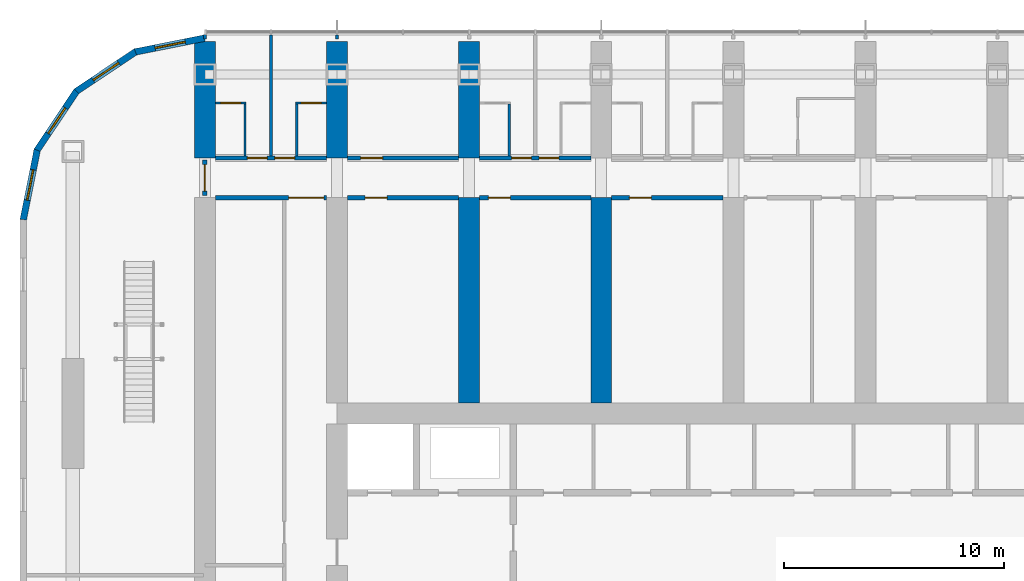
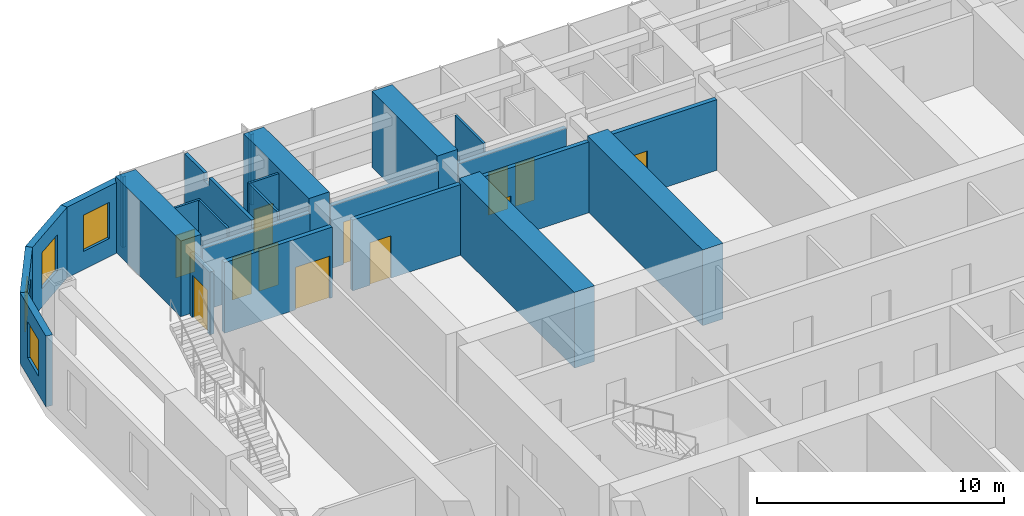
# One storey, part 15 of 25: 25 walls, 12 doors, 4 windows, 16 openings.
"""IFC4 building model written with IfcOpenShell, lengths in metres."""

from ifc_helpers import new_model, si_unit, direction, frame, frame_2d, origin, place, context, subcontext, project, spatial, polyline, rectangle, outline, extrude, material, layer, layer_set, type_object, element, fill, save


model = new_model("IFC4")

# Units and contexts
model_context = context("Model", 3, precision=1e-05, world=origin(), true_north=direction((0.0, 1.0)))
body_context = subcontext(model_context, "Body", "Model", "MODEL_VIEW")
ifc_project = project(units=[si_unit("LENGTHUNIT", "METRE"), si_unit("AREAUNIT", "SQUARE_METRE"), si_unit("VOLUMEUNIT", "CUBIC_METRE"), si_unit("PLANEANGLEUNIT", "RADIAN"), si_unit("MASSUNIT", "GRAM", prefix="KILO")], contexts=[model_context])

# Site, building, storey
site_placement = place(None, origin())
site = spatial("IfcSite", under=ifc_project, at=site_placement, CompositionType="ELEMENT")
building_placement = place(site_placement, origin())
building = spatial("IfcBuilding", under=site, at=building_placement, Name="Orbita Commons", CompositionType="ELEMENT")
storey_placement = place(building_placement, frame((0.0, 0.0, 84.39990234375)))
storey = spatial("IfcBuildingStorey", under=building, at=storey_placement, Name="L20", CompositionType="ELEMENT", Elevation=84.39990234375)

# Wall, openings, doors
ifc_material_1 = material(Name="Concrete blockwork", Category="masonry")
ifc_layer_1 = layer(ifc_material_1, 0.199951171875)
ifc_layer_set_1 = layer_set([ifc_layer_1], Name="Concrete blockwork")
wall_type_1 = type_object("IfcWallType", Name="Corridor wall 200 blockwork", PredefinedType="SOLIDWALL", material=ifc_layer_set_1)
wall_1_placement = place(storey_placement, frame((12.47509765625, 49.800048828125, 0.0), z_axis=(0.0, 0.0, 1.0), x_axis=(1.0, 0.0, 0.0)))
wall_1 = element("IfcWall", 1, at=wall_1_placement, inside=storey, type_object=wall_type_1, Name="Corridor wall 200 blockwork L20", PredefinedType="SOLIDWALL", context=body_context, shape_type="SweptSolid", body=[
    extrude(outline(polyline([(0.0, 0.0), (5.0498046875, 0.0), (5.050048828125, 3.10009765625), (0.0, 3.10009765625), (0.0, 0.0)])), frame((0.0, 0.10009765625, 0.0), z_axis=(0.0, -1.0, 0.0), x_axis=(1.0, 0.0, 0.0)), (0.0, 0.0, 1.0), 0.199951171875),
])
opening_1_placement = place(wall_1_placement, frame((1.449951171875, 0.0, 0.0)))
opening_1 = element("IfcOpeningElement", 2, at=opening_1_placement, cuts=wall_1, Name="Opening D11", PredefinedType="OPENING", context=body_context, shape_type="SweptSolid", body=[
    extrude(rectangle(XDim=0.89990234375, YDim=2.10009765625, at=frame_2d((0.449951171875, 1.050048828125))), frame((0.0, 0.10986328125, 0.0), z_axis=(0.0, -1.0, 0.0), x_axis=(1.0, 0.0, 0.0)), (0.0, 0.0, 1.0), 0.219970703125),
])
opening_2_placement = place(wall_1_placement, frame((2.699951171875, 0.0, 0.0)))
opening_2 = element("IfcOpeningElement", 3, at=opening_2_placement, cuts=wall_1, Name="Opening D11", PredefinedType="OPENING", context=body_context, shape_type="SweptSolid", body=[
    extrude(rectangle(XDim=0.89990234375, YDim=2.10009765625, at=frame_2d((0.449951171875, 1.050048828125))), frame((0.0, 0.10986328125, 0.0), z_axis=(0.0, -1.0, 0.0), x_axis=(1.0, 0.0, 0.0)), (0.0, 0.0, 1.0), 0.219970703125),
])
ifc_material_2 = material(Name="Steel-faced fire door leaf", Category="steel")
door_type_1 = type_object("IfcDoorType", Name="Corridor door 20 min 900x2100", OperationType="SINGLE_SWING_LEFT", PredefinedType="DOOR", material=ifc_material_2)
door_1_placement = place(opening_1_placement, origin())
door_1 = element("IfcDoor", 4, at=door_1_placement, inside=storey, type_object=door_type_1, Name="Cluster bedroom L20-N00 door", OperationType="SINGLE_SWING_LEFT", OverallHeight=2.10009765625, OverallWidth=0.89990234375, PredefinedType="DOOR", context=body_context, shape_type="SweptSolid", body=[
    extrude(rectangle(XDim=0.89990234375, YDim=2.10009765625, at=frame_2d((0.449951171875, 1.050048828125))), frame((0.0, 0.02490234375, 0.0), z_axis=(0.0, -1.0, 0.0), x_axis=(1.0, 0.0, 0.0)), (0.0, 0.0, 1.0), 0.050048828125),
])
fill(opening_1, door_1)
door_2_placement = place(opening_2_placement, origin())
door_2 = element("IfcDoor", 5, at=door_2_placement, inside=storey, type_object=door_type_1, Name="Cluster bedroom L20-N01 door", OperationType="SINGLE_SWING_LEFT", OverallHeight=2.10009765625, OverallWidth=0.89990234375, PredefinedType="DOOR", context=body_context, shape_type="SweptSolid", body=[
    extrude(rectangle(XDim=0.89990234375, YDim=2.10009765625, at=frame_2d((0.449951171875, 1.050048828125))), frame((0.0, 0.02490234375, 0.0), z_axis=(0.0, -1.0, 0.0), x_axis=(1.0, 0.0, 0.0)), (0.0, 0.0, 1.0), 0.050048828125),
])
fill(opening_2, door_2)

# Wall, opening, door
wall_2_placement = place(storey_placement, frame((18.47509765625, 49.800048828125, 0.0), z_axis=(0.0, 0.0, 1.0), x_axis=(1.0, 0.0, 0.0)))
wall_2 = element("IfcWall", 6, at=wall_2_placement, inside=storey, type_object=wall_type_1, Name="Corridor wall 200 blockwork L20", PredefinedType="SOLIDWALL", context=body_context, shape_type="SweptSolid", body=[
    extrude(outline(polyline([(0.0, 0.0), (5.0498046875, 0.0), (5.050048828125, 3.10009765625), (0.0, 3.10009765625), (0.0, 0.0)])), frame((0.0, 0.10009765625, 0.0), z_axis=(0.0, -1.0, 0.0), x_axis=(1.0, 0.0, 0.0)), (0.0, 0.0, 1.0), 0.199951171875),
])
opening_3_placement = place(wall_2_placement, frame((0.60009765625, 0.0, 0.0)))
opening_3 = element("IfcOpeningElement", 7, at=opening_3_placement, cuts=wall_2, Name="Opening D06", PredefinedType="OPENING", context=body_context, shape_type="SweptSolid", body=[
    extrude(rectangle(XDim=1.0, YDim=2.10009765625, at=frame_2d((0.5, 1.050048828125))), frame((0.0, 0.10986328125, 0.0), z_axis=(0.0, -1.0, 0.0), x_axis=(1.0, 0.0, 0.0)), (0.0, 0.0, 1.0), 0.219970703125),
])
ifc_material_3 = material(Name="Steel-faced fire door leaf", Category="steel")
door_type_2 = type_object("IfcDoorType", Name="Corridor door 20 min 1000x2100", OperationType="SINGLE_SWING_LEFT", PredefinedType="DOOR", material=ifc_material_3)
door_3_placement = place(opening_3_placement, origin())
door_3 = element("IfcDoor", 8, at=door_3_placement, inside=storey, type_object=door_type_2, Name="Sea-view lounge L20-N02 door", OperationType="SINGLE_SWING_LEFT", OverallHeight=2.10009765625, OverallWidth=1.0, PredefinedType="DOOR", context=body_context, shape_type="SweptSolid", body=[
    extrude(rectangle(XDim=1.0, YDim=2.10009765625, at=frame_2d((0.5, 1.050048828125))), frame((0.0, 0.02490234375, 0.0), z_axis=(0.0, -1.0, 0.0), x_axis=(1.0, 0.0, 0.0)), (0.0, 0.0, 1.0), 0.050048828125),
])
fill(opening_3, door_3)

# Wall, openings, doors
wall_3_placement = place(storey_placement, frame((24.47509765625, 49.800048828125, 0.0), z_axis=(0.0, 0.0, 1.0), x_axis=(1.0, 0.0, 0.0)))
wall_3 = element("IfcWall", 9, at=wall_3_placement, inside=storey, type_object=wall_type_1, Name="Corridor wall 200 blockwork L20", PredefinedType="SOLIDWALL", context=body_context, shape_type="SweptSolid", body=[
    extrude(outline(polyline([(0.0, 0.0), (5.0498046875, 0.0), (5.050048828125, 3.10009765625), (0.0, 3.10009765625), (0.0, 0.0)])), frame((0.0, 0.10009765625, 0.0), z_axis=(0.0, -1.0, 0.0), x_axis=(1.0, 0.0, 0.0)), (0.0, 0.0, 1.0), 0.199951171875),
])
opening_4_placement = place(wall_3_placement, frame((1.449951171875, 0.0, 0.0)))
opening_4 = element("IfcOpeningElement", 10, at=opening_4_placement, cuts=wall_3, Name="Opening D11", PredefinedType="OPENING", context=body_context, shape_type="SweptSolid", body=[
    extrude(rectangle(XDim=0.89990234375, YDim=2.10009765625, at=frame_2d((0.449951171875, 1.050048828125))), frame((0.0, 0.10986328125, 0.0), z_axis=(0.0, -1.0, 0.0), x_axis=(1.0, 0.0, 0.0)), (0.0, 0.0, 1.0), 0.219970703125),
])
opening_5_placement = place(wall_3_placement, frame((2.699951171875, 0.0, 0.0)))
opening_5 = element("IfcOpeningElement", 11, at=opening_5_placement, cuts=wall_3, Name="Opening D11", PredefinedType="OPENING", context=body_context, shape_type="SweptSolid", body=[
    extrude(rectangle(XDim=0.89990234375, YDim=2.10009765625, at=frame_2d((0.449951171875, 1.050048828125))), frame((0.0, 0.10986328125, 0.0), z_axis=(0.0, -1.0, 0.0), x_axis=(1.0, 0.0, 0.0)), (0.0, 0.0, 1.0), 0.219970703125),
])
door_4_placement = place(opening_4_placement, origin())
door_4 = element("IfcDoor", 12, at=door_4_placement, inside=storey, type_object=door_type_1, Name="Cluster bedroom L20-N04 door", OperationType="SINGLE_SWING_LEFT", OverallHeight=2.10009765625, OverallWidth=0.89990234375, PredefinedType="DOOR", context=body_context, shape_type="SweptSolid", body=[
    extrude(rectangle(XDim=0.89990234375, YDim=2.10009765625, at=frame_2d((0.449951171875, 1.050048828125))), frame((0.0, 0.02490234375, 0.0), z_axis=(0.0, -1.0, 0.0), x_axis=(1.0, 0.0, 0.0)), (0.0, 0.0, 1.0), 0.050048828125),
])
fill(opening_4, door_4)
door_5_placement = place(opening_5_placement, origin())
door_5 = element("IfcDoor", 13, at=door_5_placement, inside=storey, type_object=door_type_1, Name="Cluster bedroom L20-N05 door", OperationType="SINGLE_SWING_LEFT", OverallHeight=2.10009765625, OverallWidth=0.89990234375, PredefinedType="DOOR", context=body_context, shape_type="SweptSolid", body=[
    extrude(rectangle(XDim=0.89990234375, YDim=2.10009765625, at=frame_2d((0.449951171875, 1.050048828125))), frame((0.0, 0.02490234375, 0.0), z_axis=(0.0, -1.0, 0.0), x_axis=(1.0, 0.0, 0.0)), (0.0, 0.0, 1.0), 0.050048828125),
])
fill(opening_5, door_5)

# Wall, opening, door
wall_4_placement = place(storey_placement, frame((12.0, 48.10009765625, 0.0), z_axis=(0.0, 0.0, 1.0), x_axis=(0.0, 1.0, 0.0)))
wall_4 = element("IfcWall", 14, at=wall_4_placement, inside=storey, type_object=wall_type_1, Name="Corridor wall 200 blockwork L20", PredefinedType="SOLIDWALL", context=body_context, shape_type="SweptSolid", body=[
    extrude(outline(polyline([(0.0, 0.0), (1.599853515625, 0.0), (1.60009765625, 3.10009765625), (0.0, 3.10009765625), (0.0, 0.0)])), frame((0.0, 0.10009765625, 0.0), z_axis=(0.0, -1.0, 0.0), x_axis=(1.0, 0.0, 0.0)), (0.0, 0.0, 1.0), 0.199951171875),
])
opening_6_placement = place(wall_4_placement, frame((0.199951171875, 0.0, 0.0)))
opening_6 = element("IfcOpeningElement", 15, at=opening_6_placement, cuts=wall_4, Name="Opening D12", PredefinedType="OPENING", context=body_context, shape_type="SweptSolid", body=[
    extrude(rectangle(XDim=1.199951171875, YDim=2.10009765625, at=frame_2d((0.60009765625, 1.050048828125))), frame((0.0, 0.10986328125, 0.0), z_axis=(0.0, -1.0, 0.0), x_axis=(1.0, 0.0, 0.0)), (0.0, 0.0, 1.0), 0.219970703125),
])
ifc_material_4 = material(Name="Steel-faced fire door leaf", Category="steel")
door_type_3 = type_object("IfcDoorType", Name="Double corridor door 20 min 1200x2100", OperationType="DOUBLE_DOOR_SINGLE_SWING", PredefinedType="DOOR", material=ifc_material_4)
door_6_placement = place(opening_6_placement, origin())
door_6 = element("IfcDoor", 16, at=door_6_placement, inside=storey, type_object=door_type_3, Name="Lounge doors", OperationType="DOUBLE_DOOR_SINGLE_SWING", OverallHeight=2.10009765625, OverallWidth=1.199951171875, PredefinedType="DOOR", context=body_context, shape_type="SweptSolid", body=[
    extrude(rectangle(XDim=1.199951171875, YDim=2.10009765625, at=frame_2d((0.60009765625, 1.050048828125))), frame((0.0, 0.02490234375, 0.0), z_axis=(0.0, -1.0, 0.0), x_axis=(1.0, 0.0, 0.0)), (0.0, 0.0, 1.0), 0.050048828125),
])
fill(opening_6, door_6)

ifc_material_5 = material(Name="Hollow concrete block 200", Category="concrete")
ifc_layer_2 = layer(ifc_material_5, 0.199951171875)
ifc_layer_set_2 = layer_set([ifc_layer_2], Name="Hollow concrete block 200")
wall_type_2 = type_object("IfcWallType", Name="Corridor wall 200 hollow concrete block", PredefinedType="SOLIDWALL", material=ifc_layer_set_2)
wall_5_placement = place(storey_placement, frame((12.47509765625, 48.0, 0.0), z_axis=(0.0, 0.0, 1.0), x_axis=(1.0, 0.0, 0.0)))
wall_5 = element("IfcWall", 17, at=wall_5_placement, inside=storey, type_object=wall_type_2, Name="Corridor wall 200 hollow concrete block L20", PredefinedType="SOLIDWALL", context=body_context, shape_type="SweptSolid", body=[
    extrude(rectangle(XDim=5.0498046875, YDim=0.199951171875, at=frame_2d((2.52490234375, 0.0))), origin(), (0.0, 0.0, 1.0), 3.5),
])
opening_7_placement = place(wall_5_placement, frame((3.324951171875, 0.0, 0.0)))
opening_7 = element("IfcOpeningElement", 18, at=opening_7_placement, cuts=wall_5, Name="Opening D10", PredefinedType="OPENING", context=body_context, shape_type="SweptSolid", body=[
    extrude(rectangle(XDim=1.60009765625, YDim=2.10009765625, at=frame_2d((0.800048828125, 1.050048828125))), frame((0.0, 0.10986328125, 0.0), z_axis=(0.0, -1.0, 0.0), x_axis=(1.0, 0.0, 0.0)), (0.0, 0.0, 1.0), 0.219970703125),
])
ifc_material_6 = material(Name="Steel-faced fire door leaf", Category="steel")
door_type_4 = type_object("IfcDoorType", Name="Double corridor door 20 min 1600x2100", OperationType="DOUBLE_DOOR_SINGLE_SWING", PredefinedType="DOOR", material=ifc_material_6)
door_7_placement = place(opening_7_placement, origin())
door_7 = element("IfcDoor", 19, at=door_7_placement, inside=storey, type_object=door_type_4, Name="Cross corridor doors", OperationType="DOUBLE_DOOR_SINGLE_SWING", OverallHeight=2.10009765625, OverallWidth=1.60009765625, PredefinedType="DOOR", context=body_context, shape_type="SweptSolid", body=[
    extrude(rectangle(XDim=1.60009765625, YDim=2.10009765625, at=frame_2d((0.800048828125, 1.050048828125))), frame((0.0, 0.02490234375, 0.0), z_axis=(0.0, -1.0, 0.0), x_axis=(1.0, 0.0, 0.0)), (0.0, 0.0, 1.0), 0.050048828125),
])
fill(opening_7, door_7)

wall_6_placement = place(storey_placement, frame((18.47509765625, 48.0, 0.0), z_axis=(0.0, 0.0, 1.0), x_axis=(1.0, 0.0, 0.0)))
wall_6 = element("IfcWall", 20, at=wall_6_placement, inside=storey, type_object=wall_type_2, Name="Corridor wall 200 hollow concrete block L20", PredefinedType="SOLIDWALL", context=body_context, shape_type="SweptSolid", body=[
    extrude(rectangle(XDim=5.0498046875, YDim=0.199951171875, at=frame_2d((2.52490234375, 0.0))), origin(), (0.0, 0.0, 1.0), 3.5),
])
opening_8_placement = place(wall_6_placement, frame((0.800048828125, 0.0, 0.0)))
opening_8 = element("IfcOpeningElement", 21, at=opening_8_placement, cuts=wall_6, Name="Opening D06", PredefinedType="OPENING", context=body_context, shape_type="SweptSolid", body=[
    extrude(rectangle(XDim=1.0, YDim=2.10009765625, at=frame_2d((0.5, 1.050048828125))), frame((0.0, 0.10986328125, 0.0), z_axis=(0.0, -1.0, 0.0), x_axis=(1.0, 0.0, 0.0)), (0.0, 0.0, 1.0), 0.219970703125),
])
door_8_placement = place(opening_8_placement, origin())
door_8 = element("IfcDoor", 22, at=door_8_placement, inside=storey, type_object=door_type_2, Name="Pantry L20-BDN18 door", OperationType="SINGLE_SWING_LEFT", OverallHeight=2.10009765625, OverallWidth=1.0, PredefinedType="DOOR", context=body_context, shape_type="SweptSolid", body=[
    extrude(rectangle(XDim=1.0, YDim=2.10009765625, at=frame_2d((0.5, 1.050048828125))), frame((0.0, 0.02490234375, 0.0), z_axis=(0.0, -1.0, 0.0), x_axis=(1.0, 0.0, 0.0)), (0.0, 0.0, 1.0), 0.050048828125),
])
fill(opening_8, door_8)

wall_7_placement = place(storey_placement, frame((24.47509765625, 48.0, 0.0), z_axis=(0.0, 0.0, 1.0), x_axis=(1.0, 0.0, 0.0)))
wall_7 = element("IfcWall", 23, at=wall_7_placement, inside=storey, type_object=wall_type_2, Name="Corridor wall 200 hollow concrete block L20", PredefinedType="SOLIDWALL", context=body_context, shape_type="SweptSolid", body=[
    extrude(rectangle(XDim=5.0498046875, YDim=0.199951171875, at=frame_2d((2.52490234375, 0.0))), origin(), (0.0, 0.0, 1.0), 3.5),
])
opening_9_placement = place(wall_7_placement, frame((0.39990234375, 0.0, 0.0)))
opening_9 = element("IfcOpeningElement", 24, at=opening_9_placement, cuts=wall_7, Name="Opening D06", PredefinedType="OPENING", context=body_context, shape_type="SweptSolid", body=[
    extrude(rectangle(XDim=1.0, YDim=2.10009765625, at=frame_2d((0.5, 1.050048828125))), frame((0.0, 0.10986328125, 0.0), z_axis=(0.0, -1.0, 0.0), x_axis=(1.0, 0.0, 0.0)), (0.0, 0.0, 1.0), 0.219970703125),
])
door_9_placement = place(opening_9_placement, origin())
door_9 = element("IfcDoor", 25, at=door_9_placement, inside=storey, type_object=door_type_2, Name="IT and print room L20-BDN24 door", OperationType="SINGLE_SWING_LEFT", OverallHeight=2.10009765625, OverallWidth=1.0, PredefinedType="DOOR", context=body_context, shape_type="SweptSolid", body=[
    extrude(rectangle(XDim=1.0, YDim=2.10009765625, at=frame_2d((0.5, 1.050048828125))), frame((0.0, 0.02490234375, 0.0), z_axis=(0.0, -1.0, 0.0), x_axis=(1.0, 0.0, 0.0)), (0.0, 0.0, 1.0), 0.050048828125),
])
fill(opening_9, door_9)

wall_8_placement = place(storey_placement, frame((30.47509765625, 48.0, 0.0), z_axis=(0.0, 0.0, 1.0), x_axis=(1.0, 0.0, 0.0)))
wall_8 = element("IfcWall", 26, at=wall_8_placement, inside=storey, type_object=wall_type_2, Name="Corridor wall 200 hollow concrete block L20", PredefinedType="SOLIDWALL", context=body_context, shape_type="SweptSolid", body=[
    extrude(rectangle(XDim=5.0498046875, YDim=0.199951171875, at=frame_2d((2.52490234375, 0.0))), origin(), (0.0, 0.0, 1.0), 3.5),
])
opening_10_placement = place(wall_8_placement, frame((0.800048828125, 0.0, 0.0)))
opening_10 = element("IfcOpeningElement", 27, at=opening_10_placement, cuts=wall_8, Name="Opening D06", PredefinedType="OPENING", context=body_context, shape_type="SweptSolid", body=[
    extrude(rectangle(XDim=1.0, YDim=2.10009765625, at=frame_2d((0.5, 1.050048828125))), frame((0.0, 0.10986328125, 0.0), z_axis=(0.0, -1.0, 0.0), x_axis=(1.0, 0.0, 0.0)), (0.0, 0.0, 1.0), 0.219970703125),
])
door_10_placement = place(opening_10_placement, origin())
door_10 = element("IfcDoor", 28, at=door_10_placement, inside=storey, type_object=door_type_2, Name="Ventilation plant room south L20-BDN30 door", OperationType="SINGLE_SWING_LEFT", OverallHeight=2.10009765625, OverallWidth=1.0, PredefinedType="DOOR", context=body_context, shape_type="SweptSolid", body=[
    extrude(rectangle(XDim=1.0, YDim=2.10009765625, at=frame_2d((0.5, 1.050048828125))), frame((0.0, 0.02490234375, 0.0), z_axis=(0.0, -1.0, 0.0), x_axis=(1.0, 0.0, 0.0)), (0.0, 0.0, 1.0), 0.050048828125),
])
fill(opening_10, door_10)

# Walls
ifc_material_7 = material(Name="Concrete C50/60", Category="concrete")
ifc_layer_3 = layer(ifc_material_7, 0.949951171875)
ifc_layer_set_3 = layer_set([ifc_layer_3], Name="Concrete C50/60")
wall_type_3 = type_object("IfcWallType", Name="Cross wall 950 C50/60", PredefinedType="SHEAR", material=ifc_layer_set_3)
for number, where, z_axis, x_axis, name in (
    (29, (12.0, 49.800048828125, 0.0), (0.0, 0.0, 1.0), (0.0, 1.0, 0.0), "Cross wall 3 north outer L20"),
    (30, (18.0, 49.800048828125, 0.0), (0.0, 0.0, 1.0), (0.0, 1.0, 0.0), "Cross wall 4 north outer L20"),
    (31, (24.0, 49.800048828125, 0.0), (0.0, 0.0, 1.0), (0.0, 1.0, 0.0), "Cross wall 5 north outer L20"),
):
    element("IfcWall", number, at=place(storey_placement, frame(where, z_axis=z_axis, x_axis=x_axis)), inside=storey, type_object=wall_type_3, Name=name, PredefinedType="SHEAR", context=body_context, shape_type="SweptSolid", body=[
        extrude(rectangle(XDim=5.300048828125, YDim=0.949951171875, at=frame_2d((2.64990234375, 0.0))), origin(), (0.0, 0.0, 1.0), 3.75),
    ])
for number, where, z_axis, x_axis, name in (
    (32, (24.0, 38.675048828125, 0.0), (0.0, 0.0, 1.0), (0.0, 1.0, 0.0), "Cross wall 5 north inner L20"),
    (33, (30.0, 38.675048828125, 0.0), (0.0, 0.0, 1.0), (0.0, 1.0, 0.0), "Cross wall 6 north inner L20"),
):
    element("IfcWall", number, at=place(storey_placement, frame(where, z_axis=z_axis, x_axis=x_axis)), inside=storey, type_object=wall_type_3, Name=name, PredefinedType="SHEAR", context=body_context, shape_type="SweptSolid", body=[
        extrude(rectangle(XDim=9.324951171875, YDim=0.949951171875, at=frame_2d((4.66259765625, 0.0))), origin(), (0.0, 0.0, 1.0), 3.75),
    ])

# Wall, opening, door
ifc_material_8 = material(Name="Moisture-resistant plasterboard on steel studs", Category="steel")
ifc_layer_4 = layer(ifc_material_8, 0.10009765625)
ifc_layer_set_4 = layer_set([ifc_layer_4], Name="Moisture-resistant plasterboard on steel studs")
wall_type_4 = type_object("IfcWallType", Name="En-suite partition 100", PredefinedType="PARTITIONING", material=ifc_layer_set_4)
wall_9_placement = place(storey_placement, frame((12.47509765625, 52.300048828125, 0.0), z_axis=(0.0, 0.0, 1.0), x_axis=(1.0, 0.0, 0.0)))
wall_9 = element("IfcWall", 34, at=wall_9_placement, inside=storey, type_object=wall_type_4, Name="En-suite partition 100 L20", PredefinedType="PARTITIONING", context=body_context, shape_type="SweptSolid", body=[
    extrude(rectangle(XDim=1.39990234375, YDim=0.10009765625, at=frame_2d((0.699951171875, 0.0))), origin(), (0.0, 0.0, 1.0), 3.5),
])
opening_11_placement = place(wall_9_placement, frame((0.25, 0.0, 0.0)))
opening_11 = element("IfcOpeningElement", 35, at=opening_11_placement, cuts=wall_9, Name="Opening D09", PredefinedType="OPENING", context=body_context, shape_type="SweptSolid", body=[
    extrude(rectangle(XDim=0.89990234375, YDim=2.10009765625, at=frame_2d((0.449951171875, 1.050048828125))), frame((0.0, 0.06005859375, 0.0), z_axis=(0.0, -1.0, 0.0), x_axis=(1.0, 0.0, 0.0)), (0.0, 0.0, 1.0), 0.1201171875),
])
ifc_material_9 = material(Name="Laminated timber door leaf", Category="wood")
door_type_5 = type_object("IfcDoorType", Name="En-suite door 900x2100", OperationType="SINGLE_SWING_RIGHT", PredefinedType="DOOR", material=ifc_material_9)
door_11_placement = place(opening_11_placement, origin())
door_11 = element("IfcDoor", 36, at=door_11_placement, inside=storey, type_object=door_type_5, Name="En-suite L20-N00 door", OperationType="SINGLE_SWING_RIGHT", OverallHeight=2.10009765625, OverallWidth=0.89990234375, PredefinedType="DOOR", context=body_context, shape_type="SweptSolid", body=[
    extrude(rectangle(XDim=0.89990234375, YDim=2.10009765625, at=frame_2d((0.449951171875, 1.050048828125))), frame((0.0, 0.02490234375, 0.0), z_axis=(0.0, -1.0, 0.0), x_axis=(1.0, 0.0, 0.0)), (0.0, 0.0, 1.0), 0.050048828125),
])
fill(opening_11, door_11)

# Wall
wall_10_placement = place(storey_placement, frame((13.824951171875, 52.25, 0.0), z_axis=(0.0, 0.0, 1.0), x_axis=(0.0, -1.0, 0.0)))
element("IfcWall", 37, at=wall_10_placement, inside=storey, type_object=wall_type_4, Name="En-suite partition 100 L20", PredefinedType="PARTITIONING", context=body_context, shape_type="SweptSolid", body=[
    extrude(outline(polyline([(0.0, 0.0), (2.35009765625, 0.0), (2.35009765625, 3.10009765625), (2.302001953125, 3.10009765625), (2.300048828125, 3.5), (0.0, 3.5), (0.0, 0.0)])), frame((0.0, 0.050048828125, 0.0), z_axis=(0.0, -1.0, 0.0), x_axis=(1.0, 0.0, 0.0)), (0.0, 0.0, 1.0), 0.10009765625),
])

# Wall, opening, door
wall_11_placement = place(storey_placement, frame((16.125, 52.300048828125, 0.0), z_axis=(0.0, 0.0, 1.0), x_axis=(1.0, 0.0, 0.0)))
wall_11 = element("IfcWall", 38, at=wall_11_placement, inside=storey, type_object=wall_type_4, Name="En-suite partition 100 L20", PredefinedType="PARTITIONING", context=body_context, shape_type="SweptSolid", body=[
    extrude(rectangle(XDim=1.39990234375, YDim=0.10009765625, at=frame_2d((0.699951171875, 0.0))), origin(), (0.0, 0.0, 1.0), 3.5),
])
opening_12_placement = place(wall_11_placement, frame((0.25, 0.0, 0.0)))
opening_12 = element("IfcOpeningElement", 39, at=opening_12_placement, cuts=wall_11, Name="Opening D09", PredefinedType="OPENING", context=body_context, shape_type="SweptSolid", body=[
    extrude(rectangle(XDim=0.89990234375, YDim=2.10009765625, at=frame_2d((0.449951171875, 1.050048828125))), frame((0.0, 0.06005859375, 0.0), z_axis=(0.0, -1.0, 0.0), x_axis=(1.0, 0.0, 0.0)), (0.0, 0.0, 1.0), 0.1201171875),
])
door_12_placement = place(opening_12_placement, origin())
door_12 = element("IfcDoor", 40, at=door_12_placement, inside=storey, type_object=door_type_5, Name="En-suite L20-N01 door", OperationType="SINGLE_SWING_RIGHT", OverallHeight=2.10009765625, OverallWidth=0.89990234375, PredefinedType="DOOR", context=body_context, shape_type="SweptSolid", body=[
    extrude(rectangle(XDim=0.89990234375, YDim=2.10009765625, at=frame_2d((0.449951171875, 1.050048828125))), frame((0.0, 0.02490234375, 0.0), z_axis=(0.0, -1.0, 0.0), x_axis=(1.0, 0.0, 0.0)), (0.0, 0.0, 1.0), 0.050048828125),
])
fill(opening_12, door_12)

# Walls
for number, where, z_axis, x_axis, name in (
    (41, (16.175048828125, 52.25, 0.0), (0.0, 0.0, 1.0), (0.0, -1.0, 0.0), "En-suite partition 100 L20"),
    (42, (25.824951171875, 52.25, 0.0), (0.0, 0.0, 1.0), (0.0, -1.0, 0.0), "En-suite partition 100 L20"),
):
    element("IfcWall", number, at=place(storey_placement, frame(where, z_axis=z_axis, x_axis=x_axis)), inside=storey, type_object=wall_type_4, Name=name, PredefinedType="PARTITIONING", context=body_context, shape_type="SweptSolid", body=[
        extrude(outline(polyline([(0.0, 0.0), (2.35009765625, 0.0), (2.35009765625, 3.10009765625), (2.302001953125, 3.10009765625), (2.300048828125, 3.5), (0.0, 3.5), (0.0, 0.0)])), frame((0.0, 0.050048828125, 0.0), z_axis=(0.0, -1.0, 0.0), x_axis=(1.0, 0.0, 0.0)), (0.0, 0.0, 1.0), 0.10009765625),
    ])
ifc_material_10 = material(Name="Gypsum plasterboard on steel studs", Category="steel")
ifc_layer_5 = layer(ifc_material_10, 0.14990234375)
ifc_layer_set_5 = layer_set([ifc_layer_5], Name="Gypsum plasterboard on steel studs")
wall_type_5 = type_object("IfcWallType", Name="Partition 150 plasterboard", PredefinedType="PARTITIONING", material=ifc_layer_set_5)
wall_12_placement = place(storey_placement, frame((12.0, 55.199951171875, 0.0), z_axis=(0.0, 0.0, 1.0), x_axis=(0.0, 1.0, 0.0)))
element("IfcWall", 43, at=wall_12_placement, inside=storey, type_object=wall_type_5, Name="Partition 150 plasterboard L20", PredefinedType="PARTITIONING", context=body_context, shape_type="SweptSolid", body=[
    extrude(rectangle(XDim=0.219970703125, YDim=0.14990234375, at=frame_2d((0.10986328125, 0.0))), origin(), (0.0, 0.0, 1.0), 3.5),
])
wall_13_placement = place(storey_placement, frame((18.0, 55.199951171875, 0.0), z_axis=(0.0, 0.0, 1.0), x_axis=(0.0, 1.0, 0.0)))
element("IfcWall", 44, at=wall_13_placement, inside=storey, type_object=wall_type_5, Name="Partition 150 plasterboard L20", PredefinedType="PARTITIONING", context=body_context, shape_type="SweptSolid", body=[
    extrude(rectangle(XDim=0.18994140625, YDim=0.14990234375, at=frame_2d((0.094970703125, 0.0))), origin(), (0.0, 0.0, 1.0), 3.5),
])
ifc_material_11 = material(Name="Gypsum plasterboard on steel studs", Category="steel")
ifc_layer_6 = layer(ifc_material_11, 0.14990234375)
ifc_layer_set_6 = layer_set([ifc_layer_6], Name="Gypsum plasterboard on steel studs")
wall_type_6 = type_object("IfcWallType", Name="Party wall 150 plasterboard", PredefinedType="PARTITIONING", material=ifc_layer_set_6)
wall_14_placement = place(storey_placement, frame((15.0, 55.389892578125, 0.0), z_axis=(0.0, 0.0, 1.0), x_axis=(0.0, -1.0, 0.0)))
element("IfcWall", 45, at=wall_14_placement, inside=storey, type_object=wall_type_6, Name="Party wall 150 plasterboard L20", PredefinedType="PARTITIONING", context=body_context, shape_type="SweptSolid", body=[
    extrude(outline(polyline([(0.0, 0.0), (5.489990234375, 0.0), (5.489990234375, 3.10009765625), (5.44189453125, 3.10009765625), (5.43994140625, 3.5), (1.991943359375, 3.5), (1.989990234375, 3.10009765625), (1.592041015625, 3.10009765625), (1.590087890625, 3.5), (0.0, 3.5), (0.0, 0.0)])), frame((0.0, 0.074951171875, 0.0), z_axis=(0.0, -1.0, 0.0), x_axis=(1.0, 0.0, 0.0)), (0.0, 0.0, 1.0), 0.14990234375),
])

# Wall, opening, window
ifc_material_12 = material(Name="Precast concrete C40/50, white board-marked finish", Category="concrete")
ifc_layer_7 = layer(ifc_material_12, 0.300048828125)
ifc_layer_set_7 = layer_set([ifc_layer_7], Name="Precast concrete C40/50, white board-marked finish")
wall_type_7 = type_object("IfcWallType", Name="Precast concrete end shield 300", PredefinedType="SOLIDWALL", material=ifc_layer_set_7)
wall_15_placement = place(storey_placement, frame((12.0, 55.25, 0.0), z_axis=(0.0, 0.0, 1.0), x_axis=(-0.980787251524, -0.195080412259, 0.0)))
wall_15 = element("IfcWall", 46, at=wall_15_placement, inside=storey, type_object=wall_type_7, Name="End shield NW chord 1 L20", PredefinedType="SOLIDWALL", context=body_context, shape_type="SweptSolid", body=[
    extrude(outline(polyline([(-0.02978515625, -0.14990234375), (3.24853515625, -0.14990234375), (3.18896484375, 0.14990234375), (0.02978515625, 0.14990234375), (-0.02978515625, -0.14990234375)])), origin(), (0.0, 0.0, 1.0), 3.5),
])
opening_13_placement = place(wall_15_placement, frame((0.909423828125, 0.0, 0.89990234375)))
opening_13 = element("IfcOpeningElement", 47, at=opening_13_placement, cuts=wall_15, Name="Opening W02", PredefinedType="OPENING", context=body_context, shape_type="SweptSolid", body=[
    extrude(rectangle(XDim=1.39990234375, YDim=1.800048828125, at=frame_2d((0.699951171875, 0.89990234375))), frame((0.0, 0.159912109375, 0.0), z_axis=(0.0, -1.0, 0.0), x_axis=(1.0, 0.0, 0.0)), (0.0, 0.0, 1.0), 0.320068359375),
])
ifc_material_13 = material(Name="Aluminium frame, clear double glazing", Category="aluminium")
window_type = type_object("IfcWindowType", Name="Deep-set window 1400x1800", PartitioningType="SINGLE_PANEL", PredefinedType="WINDOW", material=ifc_material_13)
window_1_placement = place(opening_13_placement, origin())
window_1 = element("IfcWindow", 48, at=window_1_placement, inside=storey, type_object=window_type, Name="Window L20-NW0", OverallHeight=1.800048828125, OverallWidth=1.39990234375, PartitioningType="SINGLE_PANEL", PredefinedType="WINDOW", context=body_context, shape_type="SweptSolid", body=[
    extrude(rectangle(XDim=1.39990234375, YDim=1.800048828125, at=frame_2d((0.699951171875, 0.89990234375))), frame((0.0, 0.030029296875, 0.0), z_axis=(0.0, -1.0, 0.0), x_axis=(1.0, 0.0, 0.0)), (0.0, 0.0, 1.0), 0.06005859375),
])
fill(opening_13, window_1)

wall_16_placement = place(storey_placement, frame((8.843017578125, 54.6220703125, 0.0), z_axis=(0.0, 0.0, 1.0), x_axis=(-0.831443069936, -0.555609954424, 0.0)))
wall_16 = element("IfcWall", 49, at=wall_16_placement, inside=storey, type_object=wall_type_7, Name="End shield NW chord 2 L20", PredefinedType="SOLIDWALL", context=body_context, shape_type="SweptSolid", body=[
    extrude(outline(polyline([(-0.02978515625, -0.14990234375), (3.2490234375, -0.14990234375), (3.189453125, 0.14990234375), (0.02978515625, 0.14990234375), (-0.02978515625, -0.14990234375)])), origin(), (0.0, 0.0, 1.0), 3.5),
])
opening_14_placement = place(wall_16_placement, frame((0.909423828125, 0.0, 0.89990234375)))
opening_14 = element("IfcOpeningElement", 50, at=opening_14_placement, cuts=wall_16, Name="Opening W02", PredefinedType="OPENING", context=body_context, shape_type="SweptSolid", body=[
    extrude(rectangle(XDim=1.39990234375, YDim=1.800048828125, at=frame_2d((0.699951171875, 0.89990234375))), frame((0.0, 0.159912109375, 0.0), z_axis=(0.0, -1.0, 0.0), x_axis=(1.0, 0.0, 0.0)), (0.0, 0.0, 1.0), 0.320068359375),
])
window_2_placement = place(opening_14_placement, origin())
window_2 = element("IfcWindow", 51, at=window_2_placement, inside=storey, type_object=window_type, Name="Window L20-NW1", OverallHeight=1.800048828125, OverallWidth=1.39990234375, PartitioningType="SINGLE_PANEL", PredefinedType="WINDOW", context=body_context, shape_type="SweptSolid", body=[
    extrude(rectangle(XDim=1.39990234375, YDim=1.800048828125, at=frame_2d((0.699951171875, 0.89990234375))), frame((0.0, 0.030029296875, 0.0), z_axis=(0.0, -1.0, 0.0), x_axis=(1.0, 0.0, 0.0)), (0.0, 0.0, 1.0), 0.06005859375),
])
fill(opening_14, window_2)

wall_17_placement = place(storey_placement, frame((6.16650390625, 52.83349609375, 0.0), z_axis=(0.0, 0.0, 1.0), x_axis=(-0.555609954424, -0.831443069936, 0.0)))
wall_17 = element("IfcWall", 52, at=wall_17_placement, inside=storey, type_object=wall_type_7, Name="End shield NW chord 3 L20", PredefinedType="SOLIDWALL", context=body_context, shape_type="SweptSolid", body=[
    extrude(outline(polyline([(-0.02978515625, -0.14990234375), (3.2490234375, -0.14990234375), (3.189453125, 0.14990234375), (0.02978515625, 0.14990234375), (-0.02978515625, -0.14990234375)])), origin(), (0.0, 0.0, 1.0), 3.5),
])
opening_15_placement = place(wall_17_placement, frame((0.909423828125, 0.0, 0.89990234375)))
opening_15 = element("IfcOpeningElement", 53, at=opening_15_placement, cuts=wall_17, Name="Opening W02", PredefinedType="OPENING", context=body_context, shape_type="SweptSolid", body=[
    extrude(rectangle(XDim=1.39990234375, YDim=1.800048828125, at=frame_2d((0.699951171875, 0.89990234375))), frame((0.0, 0.159912109375, 0.0), z_axis=(0.0, -1.0, 0.0), x_axis=(1.0, 0.0, 0.0)), (0.0, 0.0, 1.0), 0.320068359375),
])
window_3_placement = place(opening_15_placement, origin())
window_3 = element("IfcWindow", 54, at=window_3_placement, inside=storey, type_object=window_type, Name="Window L20-NW2", OverallHeight=1.800048828125, OverallWidth=1.39990234375, PartitioningType="SINGLE_PANEL", PredefinedType="WINDOW", context=body_context, shape_type="SweptSolid", body=[
    extrude(rectangle(XDim=1.39990234375, YDim=1.800048828125, at=frame_2d((0.699951171875, 0.89990234375))), frame((0.0, 0.030029296875, 0.0), z_axis=(0.0, -1.0, 0.0), x_axis=(1.0, 0.0, 0.0)), (0.0, 0.0, 1.0), 0.06005859375),
])
fill(opening_15, window_3)

wall_18_placement = place(storey_placement, frame((4.3779296875, 50.156982421875, 0.0), z_axis=(0.0, 0.0, 1.0), x_axis=(-0.195080412259, -0.980787251524, 0.0)))
wall_18 = element("IfcWall", 55, at=wall_18_placement, inside=storey, type_object=wall_type_7, Name="End shield NW chord 4 L20", PredefinedType="SOLIDWALL", context=body_context, shape_type="SweptSolid", body=[
    extrude(outline(polyline([(-0.02978515625, -0.14990234375), (3.233642578125, -0.14990234375), (3.203857421875, 0.14990234375), (0.02978515625, 0.14990234375), (-0.02978515625, -0.14990234375)])), origin(), (0.0, 0.0, 1.0), 3.5),
])
opening_16_placement = place(wall_18_placement, frame((0.909423828125, 0.0, 0.89990234375)))
opening_16 = element("IfcOpeningElement", 56, at=opening_16_placement, cuts=wall_18, Name="Opening W02", PredefinedType="OPENING", context=body_context, shape_type="SweptSolid", body=[
    extrude(rectangle(XDim=1.39990234375, YDim=1.800048828125, at=frame_2d((0.699951171875, 0.89990234375))), frame((0.0, 0.159912109375, 0.0), z_axis=(0.0, -1.0, 0.0), x_axis=(1.0, 0.0, 0.0)), (0.0, 0.0, 1.0), 0.320068359375),
])
window_4_placement = place(opening_16_placement, origin())
window_4 = element("IfcWindow", 57, at=window_4_placement, inside=storey, type_object=window_type, Name="Window L20-NW3", OverallHeight=1.800048828125, OverallWidth=1.39990234375, PartitioningType="SINGLE_PANEL", PredefinedType="WINDOW", context=body_context, shape_type="SweptSolid", body=[
    extrude(rectangle(XDim=1.39990234375, YDim=1.800048828125, at=frame_2d((0.699951171875, 0.89990234375))), frame((0.0, 0.030029296875, 0.0), z_axis=(0.0, -1.0, 0.0), x_axis=(1.0, 0.0, 0.0)), (0.0, 0.0, 1.0), 0.06005859375),
])
fill(opening_16, window_4)

save(model, "model.ifc")
